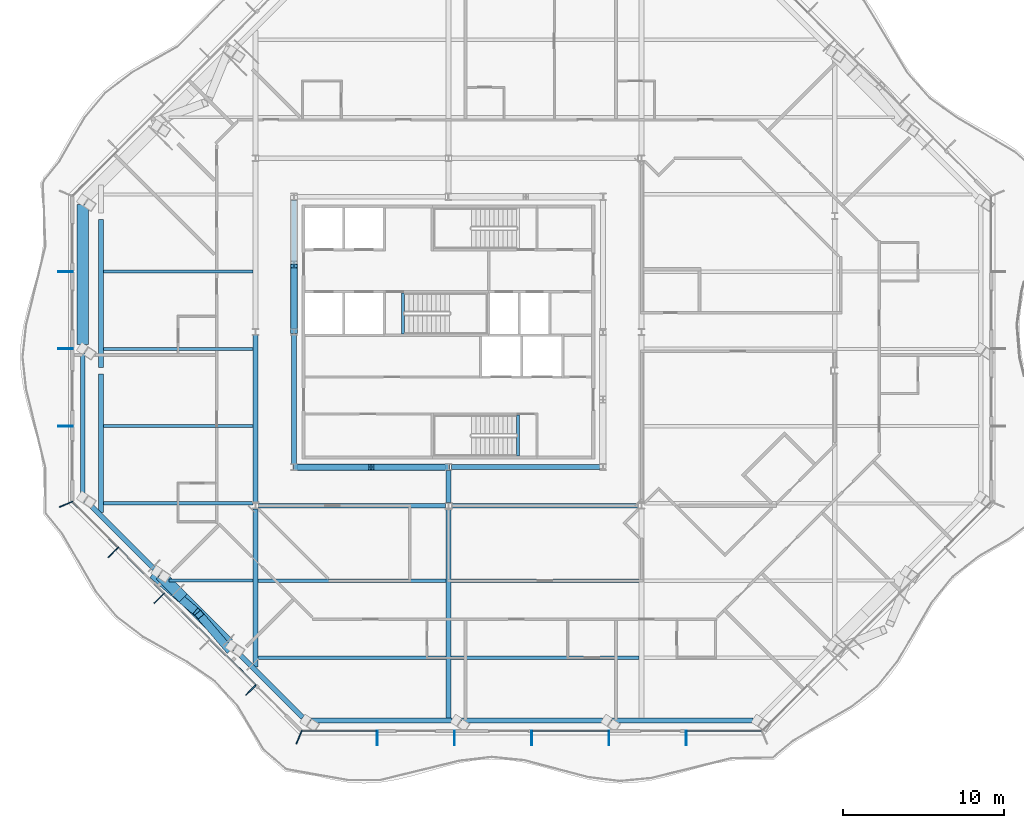
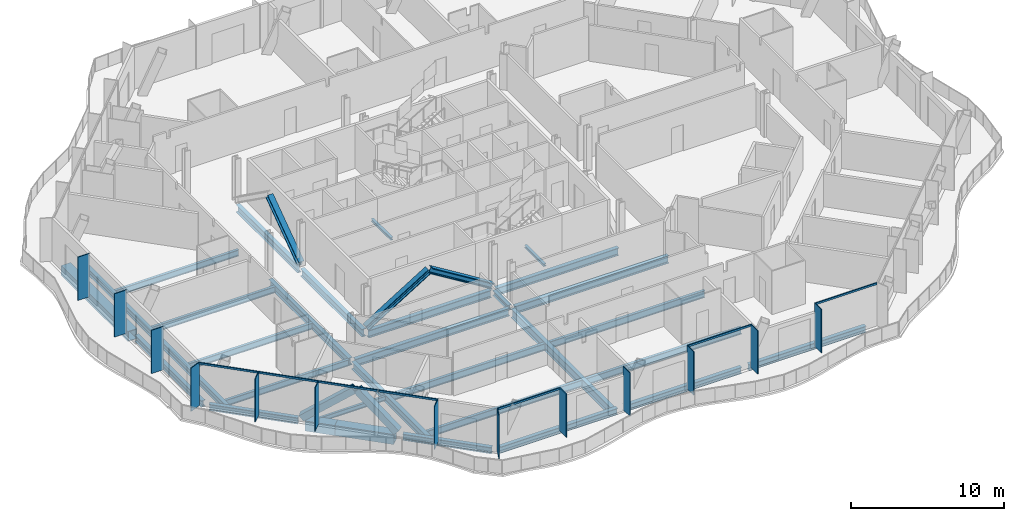
# One storey, part 3 of 19: 32 beams, 25 members, 3 elements without a shape of their own.
"""IFC4 building model written with IfcOpenShell, lengths in metres."""

from ifc_helpers import new_model, si_unit, direction, frame, origin, origin_2d, place, context, subcontext, project, spatial, rectangle, hollow_rectangle, i_section, extrude, material, material_profile, profile_set, type_object, element, aggregate, save


model = new_model("IFC4")

# Units and contexts
model_context = context("Model", 3, precision=1e-05, world=origin(), true_north=direction((0.0, 1.0)))
body_context = subcontext(model_context, "Body", "Model", "MODEL_VIEW")
ifc_project = project(units=[si_unit("LENGTHUNIT", "METRE"), si_unit("AREAUNIT", "SQUARE_METRE"), si_unit("VOLUMEUNIT", "CUBIC_METRE"), si_unit("PLANEANGLEUNIT", "RADIAN"), si_unit("MASSUNIT", "GRAM", prefix="KILO")], contexts=[model_context])

# Site, building, storey
site_placement = place(None, origin())
site = spatial("IfcSite", under=ifc_project, at=site_placement, CompositionType="ELEMENT")
building_placement = place(site_placement, origin())
building = spatial("IfcBuilding", under=site, at=building_placement, Name="Cairn Pilgrim Tower", CompositionType="ELEMENT")
storey_placement = place(building_placement, frame((0.0, 0.0, 190.199951171875)))
storey = spatial("IfcBuildingStorey", under=building, at=storey_placement, Name="L48", CompositionType="ELEMENT", Elevation=190.199951171875)

# Members
ifc_material_1 = material(Name="Structural steel S460M", Category="steel")
ifc_material_profile_1 = material_profile(ifc_material_1, hollow_rectangle(XDim=0.5, YDim=0.5, WallThickness=0.030029296875, at=origin_2d()), Name="BOX 500x500x30")
ifc_profile_set_1 = profile_set([ifc_material_profile_1], Name="Structural steel S460M")
member_type_1 = type_object("IfcMemberType", Name="BOX 500x500x30 BRACE", PredefinedType="BRACE", material=ifc_profile_set_1)
member_1_placement = place(storey_placement, frame((-11.0810546875, -12.7666015625, 0.150146484375), z_axis=(0.605199239097, -0.514036034456, 0.607865804498), x_axis=(0.647368117906, 0.762177485839, 0.0)))
element("IfcMember", 1, at=member_1_placement, inside=storey, type_object=member_type_1, Name="XB-SW2-SW3-1", PredefinedType="BRACE", context=body_context, shape_type="SweptSolid", body=[
    extrude(hollow_rectangle(XDim=0.5, YDim=0.5, WallThickness=0.030029296875, at=origin_2d()), origin(), (0.0, 0.0, 1.0), 4.394775390625),
])
member_2_placement = place(storey_placement, frame((-6.477294921875, -17.280517578125, 0.13525390625), z_axis=(-0.466441395868, 0.54687757806, 0.695239051576), x_axis=(-0.760842887943, -0.648936129266, 0.0)))
element("IfcMember", 2, at=member_2_placement, inside=storey, type_object=member_type_1, Name="XB-SW2-SW3-2", PredefinedType="BRACE", context=body_context, shape_type="SweptSolid", body=[
    extrude(hollow_rectangle(XDim=0.5, YDim=0.5, WallThickness=0.030029296875, at=origin_2d()), origin(), (0.0, 0.0, 1.0), 3.86376953125),
])

# Beams
ifc_material_2 = material(Name="Structural steel S355J2", Category="steel")
ifc_material_profile_2 = material_profile(ifc_material_2, hollow_rectangle(XDim=0.699951171875, YDim=0.800048828125, WallThickness=0.0400390625, at=origin_2d()), Name="BOX 700x800x40")
ifc_profile_set_2 = profile_set([ifc_material_profile_2], Name="Structural steel S355J2")
beam_type_1 = type_object("IfcBeamType", Name="BOX 700x800x40 RING GIRDER", PredefinedType="SPANDREL", material=ifc_profile_set_2)
beam_1_placement = place(storey_placement, frame((-15.52490234375, 10.30712890625, -0.550048828125), z_axis=(0.0, -1.0, 0.0), x_axis=(1.0, 0.0, 0.0)))
element("IfcBeam", 3, at=beam_1_placement, inside=storey, type_object=beam_type_1, Name="RG2-W1-W2", PredefinedType="SPANDREL", context=body_context, shape_type="SweptSolid", body=[
    extrude(hollow_rectangle(XDim=0.699951171875, YDim=0.800048828125, WallThickness=0.0400390625, at=origin_2d()), origin(), (0.0, 0.0, 1.0), 8.68701171875),
])
beam_2_placement = place(storey_placement, frame((-10.709716796875, -12.6923828125, -0.550048828125), z_axis=(0.707046316286, -0.707167240917, 0.0), x_axis=(0.707167240917, 0.707046316286, 0.0)))
element("IfcBeam", 4, at=beam_2_placement, inside=storey, type_object=beam_type_1, Name="RG2-SW2-SW3-1", PredefinedType="SPANDREL", context=body_context, shape_type="SweptSolid", body=[
    extrude(hollow_rectangle(XDim=0.699951171875, YDim=0.800048828125, WallThickness=0.0400390625, at=origin_2d()), origin(), (0.0, 0.0, 1.0), 2.01904296875),
])
beam_3_placement = place(storey_placement, frame((-9.2822265625, -14.1201171875, -0.550048828125), z_axis=(0.707137445632, -0.707076115411, 0.0), x_axis=(0.707076115411, 0.707137445632, 0.0)))
element("IfcBeam", 5, at=beam_3_placement, inside=storey, type_object=beam_type_1, Name="RG2-SW2-SW3-2", PredefinedType="SPANDREL", context=body_context, shape_type="SweptSolid", body=[
    extrude(hollow_rectangle(XDim=0.699951171875, YDim=0.800048828125, WallThickness=0.0400390625, at=origin_2d()), origin(), (0.0, 0.0, 1.0), 3.980712890625),
])

# Curtain wall, members
ifc_material_3 = material(Name="Aluminium alloy 6063-T6 bronze anodised with Bronze tinted laminated low-E glass 8+16+8.8", Category="aluminium")
curtain_wall_type_1 = type_object("IfcCurtainWallType", Name="TOWER STICK CURTAIN WALL NS", PredefinedType="NOTDEFINED", material=ifc_material_3)
curtain_wall_1_placement = place(storey_placement, origin())
curtain_wall_1 = element("IfcCurtainWall", 6, at=curtain_wall_1_placement, inside=storey, type_object=curtain_wall_type_1, Name="Tower Stick Curtain Wall Ns S", PredefinedType="NOTDEFINED")
ifc_material_4 = material(Name="Aluminium alloy 6063-T6 bronze anodised", Category="aluminium")
ifc_material_profile_3 = material_profile(ifc_material_4, rectangle(XDim=0.89990234375, YDim=0.06005859375, at=origin_2d()), Name="FIN MULLION 60x900 BRONZE")
ifc_profile_set_3 = profile_set([ifc_material_profile_3], Name="Aluminium alloy 6063-T6 bronze anodised")
member_type_2 = type_object("IfcMemberType", Name="FIN MULLION 60x900 BRONZE", PredefinedType="MULLION", material=ifc_profile_set_3)
member_3_placement = place(storey_placement, frame((-2.082275390625, -22.7880859375, 0.0), z_axis=(0.0, 0.0, 1.0), x_axis=(-0.382683432365, -0.923879532511, 0.0)))
member_3 = element("IfcMember", 7, at=member_3_placement, type_object=member_type_2, Name="Fin mullion S1", PredefinedType="MULLION", context=body_context, shape_type="SweptSolid", body=[
    extrude(rectangle(XDim=0.89990234375, YDim=0.06005859375, at=origin_2d()), origin(), (0.0, 0.0, 1.0), 3.449951171875),
])
member_4_placement = place(storey_placement, frame((2.77490234375, -22.820068359375, 0.0), z_axis=(0.0, 0.0, 1.0), x_axis=(0.0, -1.0, 0.0)))
member_4 = element("IfcMember", 8, at=member_4_placement, type_object=member_type_2, Name="Fin mullion S2", PredefinedType="MULLION", context=body_context, shape_type="SweptSolid", body=[
    extrude(rectangle(XDim=0.89990234375, YDim=0.06005859375, at=origin_2d()), origin(), (0.0, 0.0, 1.0), 3.449951171875),
])
member_5_placement = place(storey_placement, frame((7.574951171875, -22.820068359375, 0.0), z_axis=(0.0, 0.0, 1.0), x_axis=(0.0, -1.0, 0.0)))
member_5 = element("IfcMember", 9, at=member_5_placement, type_object=member_type_2, Name="Fin mullion S3", PredefinedType="MULLION", context=body_context, shape_type="SweptSolid", body=[
    extrude(rectangle(XDim=0.89990234375, YDim=0.06005859375, at=origin_2d()), origin(), (0.0, 0.0, 1.0), 3.449951171875),
])
member_6_placement = place(storey_placement, frame((12.375, -22.820068359375, 0.0), z_axis=(0.0, 0.0, 1.0), x_axis=(0.0, -1.0, 0.0)))
member_6 = element("IfcMember", 10, at=member_6_placement, type_object=member_type_2, Name="Fin mullion S4", PredefinedType="MULLION", context=body_context, shape_type="SweptSolid", body=[
    extrude(rectangle(XDim=0.89990234375, YDim=0.06005859375, at=origin_2d()), origin(), (0.0, 0.0, 1.0), 3.449951171875),
])
member_7_placement = place(storey_placement, frame((17.175048828125, -22.820068359375, 0.0), z_axis=(0.0, 0.0, 1.0), x_axis=(0.0, -1.0, 0.0)))
member_7 = element("IfcMember", 11, at=member_7_placement, type_object=member_type_2, Name="Fin mullion S5", PredefinedType="MULLION", context=body_context, shape_type="SweptSolid", body=[
    extrude(rectangle(XDim=0.89990234375, YDim=0.06005859375, at=origin_2d()), origin(), (0.0, 0.0, 1.0), 3.449951171875),
])
member_8_placement = place(storey_placement, frame((21.97509765625, -22.820068359375, 0.0), z_axis=(0.0, 0.0, 1.0), x_axis=(0.0, -1.0, 0.0)))
member_8 = element("IfcMember", 12, at=member_8_placement, type_object=member_type_2, Name="Fin mullion S6", PredefinedType="MULLION", context=body_context, shape_type="SweptSolid", body=[
    extrude(rectangle(XDim=0.89990234375, YDim=0.06005859375, at=origin_2d()), origin(), (0.0, 0.0, 1.0), 3.449951171875),
])

curtain_wall_type_2 = type_object("IfcCurtainWallType", Name="TOWER STICK CURTAIN WALL EW", PredefinedType="NOTDEFINED", material=ifc_material_3)
curtain_wall_2_placement = place(storey_placement, origin())
curtain_wall_2 = element("IfcCurtainWall", 13, at=curtain_wall_2_placement, inside=storey, type_object=curtain_wall_type_2, Name="Tower Stick Curtain Wall Ew W", PredefinedType="NOTDEFINED")
member_9_placement = place(storey_placement, frame((-16.594970703125, 6.14990234375, 0.0), z_axis=(0.0, 0.0, 1.0), x_axis=(-1.0, 0.0, 0.0)))
member_9 = element("IfcMember", 14, at=member_9_placement, type_object=member_type_2, Name="Fin mullion W2", PredefinedType="MULLION", context=body_context, shape_type="SweptSolid", body=[
    extrude(rectangle(XDim=0.89990234375, YDim=0.06005859375, at=origin_2d()), origin(), (0.0, 0.0, 1.0), 3.449951171875),
])
member_10_placement = place(storey_placement, frame((-16.594970703125, 1.35009765625, 0.0), z_axis=(0.0, 0.0, 1.0), x_axis=(-1.0, 0.0, 0.0)))
member_10 = element("IfcMember", 15, at=member_10_placement, type_object=member_type_2, Name="Fin mullion W3", PredefinedType="MULLION", context=body_context, shape_type="SweptSolid", body=[
    extrude(rectangle(XDim=0.89990234375, YDim=0.06005859375, at=origin_2d()), origin(), (0.0, 0.0, 1.0), 3.449951171875),
])
member_11_placement = place(storey_placement, frame((-16.594970703125, -3.449951171875, 0.0), z_axis=(0.0, 0.0, 1.0), x_axis=(-1.0, 0.0, 0.0)))
member_11 = element("IfcMember", 16, at=member_11_placement, type_object=member_type_2, Name="Fin mullion W4", PredefinedType="MULLION", context=body_context, shape_type="SweptSolid", body=[
    extrude(rectangle(XDim=0.89990234375, YDim=0.06005859375, at=origin_2d()), origin(), (0.0, 0.0, 1.0), 3.449951171875),
])
aggregate(curtain_wall_2, [member_9, member_10, member_11])

curtain_wall_type_3 = type_object("IfcCurtainWallType", Name="CHAMFER CORNER CURTAIN WALL", PredefinedType="NOTDEFINED", material=ifc_material_3)
curtain_wall_3_placement = place(storey_placement, origin())
curtain_wall_3 = element("IfcCurtainWall", 17, at=curtain_wall_3_placement, inside=storey, type_object=curtain_wall_type_3, Name="Chamfer Corner Curtain Wall SW", PredefinedType="NOTDEFINED")
member_12_placement = place(storey_placement, frame((-16.56298828125, -8.30712890625, 0.0), z_axis=(0.0, 0.0, 1.0), x_axis=(-0.923879532511, -0.382683432365, 0.0)))
member_12 = element("IfcMember", 18, at=member_12_placement, type_object=member_type_2, Name="Fin mullion SW1", PredefinedType="MULLION", context=body_context, shape_type="SweptSolid", body=[
    extrude(rectangle(XDim=0.89990234375, YDim=0.06005859375, at=origin_2d()), origin(), (0.0, 0.0, 1.0), 3.449951171875),
])
member_13_placement = place(storey_placement, frame((-13.621337890625, -11.294189453125, 0.0), z_axis=(0.0, 0.0, 1.0), x_axis=(-0.707106781187, -0.707106781187, 0.0)))
member_13 = element("IfcMember", 19, at=member_13_placement, type_object=member_type_2, Name="Fin mullion SW2", PredefinedType="MULLION", context=body_context, shape_type="SweptSolid", body=[
    extrude(rectangle(XDim=0.89990234375, YDim=0.06005859375, at=origin_2d()), origin(), (0.0, 0.0, 1.0), 3.449951171875),
])
member_14_placement = place(storey_placement, frame((-10.7705078125, -14.144775390625, 0.0), z_axis=(0.0, 0.0, 1.0), x_axis=(-0.707106781187, -0.707106781187, 0.0)))
member_14 = element("IfcMember", 20, at=member_14_placement, type_object=member_type_2, Name="Fin mullion SW3", PredefinedType="MULLION", context=body_context, shape_type="SweptSolid", body=[
    extrude(rectangle(XDim=0.89990234375, YDim=0.06005859375, at=origin_2d()), origin(), (0.0, 0.0, 1.0), 3.449951171875),
])
member_15_placement = place(storey_placement, frame((-5.069091796875, -19.84619140625, 0.0), z_axis=(0.0, 0.0, 1.0), x_axis=(-0.707106781187, -0.707106781187, 0.0)))
member_15 = element("IfcMember", 21, at=member_15_placement, type_object=member_type_2, Name="Fin mullion SW5", PredefinedType="MULLION", context=body_context, shape_type="SweptSolid", body=[
    extrude(rectangle(XDim=0.89990234375, YDim=0.06005859375, at=origin_2d()), origin(), (0.0, 0.0, 1.0), 3.449951171875),
])

# Members
ifc_material_profile_4 = material_profile(ifc_material_1, i_section(OverallWidth=0.408935546875, OverallDepth=0.425048828125, WebThickness=0.03271484375, FlangeThickness=0.052490234375, FilletRadius=0.014892578125, at=origin_2d()), Name="HD 400x421")
ifc_profile_set_4 = profile_set([ifc_material_profile_4], Name="Structural steel S460M")
member_type_3 = type_object("IfcMemberType", Name="HD 400x421 BRACE", PredefinedType="BRACE", material=ifc_profile_set_4)
member_16_placement = place(storey_placement, frame((-2.3583984375, -6.0, 0.10009765625), z_axis=(0.851119565216, 0.0, 0.524971890397), x_axis=(0.0, 1.0, 0.0)))
element("IfcMember", 22, at=member_16_placement, inside=storey, type_object=member_type_3, Name="KB-1A", PredefinedType="BRACE", context=body_context, shape_type="SweptSolid", body=[
    extrude(i_section(OverallWidth=0.408935546875, OverallDepth=0.425048828125, WebThickness=0.03271484375, FlangeThickness=0.052490234375, FilletRadius=0.014892578125, at=origin_2d()), origin(), (0.0, 0.0, 1.0), 5.528076171875),
])
member_17_placement = place(storey_placement, frame((7.158447265625, -6.0, 0.10009765625), z_axis=(-0.851131735799, 0.0, 0.52495215812), x_axis=(0.0, -1.0, 0.0)))
element("IfcMember", 23, at=member_17_placement, inside=storey, type_object=member_type_3, Name="KB-1B", PredefinedType="BRACE", context=body_context, shape_type="SweptSolid", body=[
    extrude(i_section(OverallWidth=0.408935546875, OverallDepth=0.425048828125, WebThickness=0.03271484375, FlangeThickness=0.052490234375, FilletRadius=0.014892578125, at=origin_2d()), origin(), (0.0, 0.0, 1.0), 5.5283203125),
])
member_18_placement = place(storey_placement, frame((-2.39990234375, 2.441650390625, 0.10009765625), z_axis=(0.0, 0.81433042856, 0.580401544727), x_axis=(-1.0, 0.0, 0.0)))
element("IfcMember", 24, at=member_18_placement, inside=storey, type_object=member_type_3, Name="KB-4B", PredefinedType="BRACE", context=body_context, shape_type="SweptSolid", body=[
    extrude(i_section(OverallWidth=0.408935546875, OverallDepth=0.425048828125, WebThickness=0.03271484375, FlangeThickness=0.052490234375, FilletRadius=0.014892578125, at=origin_2d()), origin(), (0.0, 0.0, 1.0), 4.998046875),
])

# Beams
ifc_material_profile_5 = material_profile(ifc_material_2, i_section(OverallWidth=0.300048828125, OverallDepth=0.39990234375, WebThickness=0.013427734375, FlangeThickness=0.02392578125, FilletRadius=0.027099609375, at=origin_2d()), Name="HEB 400")
ifc_profile_set_5 = profile_set([ifc_material_profile_5], Name="Structural steel S355J2")
beam_type_2 = type_object("IfcBeamType", Name="HEB 400 GIRDER", PredefinedType="BEAM", material=ifc_profile_set_5)
beam_4_placement = place(storey_placement, frame((7.199951171875, -8.200439453125, -0.349853515625), z_axis=(0.0, 1.0, 0.0), x_axis=(-1.0, 0.0, 0.0)))
element("IfcBeam", 25, at=beam_4_placement, inside=storey, type_object=beam_type_2, Name="PG3-E1", PredefinedType="BEAM", context=body_context, shape_type="SweptSolid", body=[
    extrude(i_section(OverallWidth=0.300048828125, OverallDepth=0.39990234375, WebThickness=0.013427734375, FlangeThickness=0.02392578125, FilletRadius=0.027099609375, at=origin_2d()), origin(), (0.0, 0.0, 1.0), 1.992431640625),
])
ifc_material_profile_6 = material_profile(ifc_material_2, i_section(OverallWidth=0.300048828125, OverallDepth=0.5, WebThickness=0.014404296875, FlangeThickness=0.028076171875, FilletRadius=0.027099609375, at=origin_2d()), Name="HEB 500")
ifc_profile_set_6 = profile_set([ifc_material_profile_6], Name="Structural steel S355J2")
beam_type_3 = type_object("IfcBeamType", Name="HEB 500 GIRDER", PredefinedType="BEAM", material=ifc_profile_set_6)
beam_5_placement = place(storey_placement, frame((-14.39990234375, -8.820068359375, -0.39990234375), z_axis=(0.0, 1.0, 0.0), x_axis=(-1.0, 0.0, 0.0)))
element("IfcBeam", 26, at=beam_5_placement, inside=storey, type_object=beam_type_3, Name="PG1-1", PredefinedType="BEAM", context=body_context, shape_type="SweptSolid", body=[
    extrude(i_section(OverallWidth=0.300048828125, OverallDepth=0.5, WebThickness=0.014404296875, FlangeThickness=0.028076171875, FilletRadius=0.027099609375, at=origin_2d()), origin(), (0.0, 0.0, 1.0), 8.62060546875),
])
beam_6_placement = place(storey_placement, frame((-14.39990234375, 0.199462890625, -0.39990234375), z_axis=(0.0, 1.0, 0.0), x_axis=(-1.0, 0.0, 0.0)))
element("IfcBeam", 27, at=beam_6_placement, inside=storey, type_object=beam_type_3, Name="PG1-2", PredefinedType="BEAM", context=body_context, shape_type="SweptSolid", body=[
    extrude(i_section(OverallWidth=0.300048828125, OverallDepth=0.5, WebThickness=0.014404296875, FlangeThickness=0.028076171875, FilletRadius=0.027099609375, at=origin_2d()), origin(), (0.0, 0.0, 1.0), 9.200927734375),
])
ifc_material_profile_7 = material_profile(ifc_material_2, i_section(OverallWidth=0.300048828125, OverallDepth=0.5, WebThickness=0.014404296875, FlangeThickness=0.028076171875, FilletRadius=0.027099609375, at=origin_2d()), Name="HEB 500")
ifc_profile_set_7 = profile_set([ifc_material_profile_7], Name="Structural steel S355J2")
beam_type_4 = type_object("IfcBeamType", Name="HEB 500 RING GIRDER", PredefinedType="SPANDREL", material=ifc_profile_set_7)
beam_7_placement = place(storey_placement, frame((-1.382080078125, -21.75, -0.39990234375), z_axis=(1.0, 0.0, 0.0), x_axis=(0.0, 1.0, 0.0)))
element("IfcBeam", 28, at=beam_7_placement, inside=storey, type_object=beam_type_4, Name="RG2-S1-S2", PredefinedType="SPANDREL", context=body_context, shape_type="SweptSolid", body=[
    extrude(i_section(OverallWidth=0.300048828125, OverallDepth=0.5, WebThickness=0.014404296875, FlangeThickness=0.028076171875, FilletRadius=0.027099609375, at=origin_2d()), origin(), (0.0, 0.0, 1.0), 8.811279296875),
])
beam_8_placement = place(storey_placement, frame((7.96923828125, -21.75, -0.39990234375), z_axis=(1.0, 0.0, 0.0), x_axis=(0.0, 1.0, 0.0)))
element("IfcBeam", 29, at=beam_8_placement, inside=storey, type_object=beam_type_4, Name="RG2-S2-S3", PredefinedType="SPANDREL", context=body_context, shape_type="SweptSolid", body=[
    extrude(i_section(OverallWidth=0.300048828125, OverallDepth=0.5, WebThickness=0.014404296875, FlangeThickness=0.028076171875, FilletRadius=0.027099609375, at=origin_2d()), origin(), (0.0, 0.0, 1.0), 8.8115234375),
])
beam_9_placement = place(storey_placement, frame((17.32080078125, -21.75, -0.39990234375), z_axis=(1.0, 0.0, 0.0), x_axis=(0.0, 1.0, 0.0)))
element("IfcBeam", 30, at=beam_9_placement, inside=storey, type_object=beam_type_4, Name="RG2-S3-SE1", PredefinedType="SPANDREL", context=body_context, shape_type="SweptSolid", body=[
    extrude(i_section(OverallWidth=0.300048828125, OverallDepth=0.5, WebThickness=0.014404296875, FlangeThickness=0.028076171875, FilletRadius=0.027099609375, at=origin_2d()), origin(), (0.0, 0.0, 1.0), 8.811279296875),
])
beam_10_placement = place(storey_placement, frame((-15.52490234375, 1.080078125, -0.39990234375), z_axis=(0.0, -1.0, 0.0), x_axis=(1.0, 0.0, 0.0)))
element("IfcBeam", 31, at=beam_10_placement, inside=storey, type_object=beam_type_4, Name="RG2-W2-SW1", PredefinedType="SPANDREL", context=body_context, shape_type="SweptSolid", body=[
    extrude(i_section(OverallWidth=0.300048828125, OverallDepth=0.5, WebThickness=0.014404296875, FlangeThickness=0.028076171875, FilletRadius=0.027099609375, at=origin_2d()), origin(), (0.0, 0.0, 1.0), 8.687255859375),
])
beam_11_placement = place(storey_placement, frame((-15.333984375, -8.068115234375, -0.39990234375), z_axis=(0.707086434254, -0.707127127534, 0.0), x_axis=(0.707127127534, 0.707086434254, 0.0)))
element("IfcBeam", 32, at=beam_11_placement, inside=storey, type_object=beam_type_4, Name="RG2-SW1-SW2", PredefinedType="SPANDREL", context=body_context, shape_type="SweptSolid", body=[
    extrude(i_section(OverallWidth=0.300048828125, OverallDepth=0.5, WebThickness=0.014404296875, FlangeThickness=0.028076171875, FilletRadius=0.027099609375, at=origin_2d()), origin(), (0.0, 0.0, 1.0), 5.99951171875),
])
beam_12_placement = place(storey_placement, frame((-6.085693359375, -17.316650390625, -0.39990234375), z_axis=(0.707127126363, -0.707086435425, 0.0), x_axis=(0.707086435425, 0.707127126363, 0.0)))
element("IfcBeam", 33, at=beam_12_placement, inside=storey, type_object=beam_type_4, Name="RG2-SW3-S1", PredefinedType="SPANDREL", context=body_context, shape_type="SweptSolid", body=[
    extrude(i_section(OverallWidth=0.300048828125, OverallDepth=0.5, WebThickness=0.014404296875, FlangeThickness=0.028076171875, FilletRadius=0.027099609375, at=origin_2d()), origin(), (0.0, 0.0, 1.0), 5.999755859375),
])
ifc_material_profile_8 = material_profile(ifc_material_2, i_section(OverallWidth=0.300048828125, OverallDepth=0.60009765625, WebThickness=0.015380859375, FlangeThickness=0.030029296875, FilletRadius=0.027099609375, at=origin_2d()), Name="HEB 600")
ifc_profile_set_8 = profile_set([ifc_material_profile_8], Name="Structural steel S355J2")
beam_type_5 = type_object("IfcBeamType", Name="HEB 600 CORE BEAM", PredefinedType="BEAM", material=ifc_profile_set_8)
for number, where, z_axis, x_axis, name in (
    (34, (-2.212890625, -6.0, -0.449951171875), (1.0, 0.0, 0.0), (0.0, 1.0, 0.0), "CB-1"),
    (35, (7.38720703125, -6.0, -0.449951171875), (1.0, 0.0, 0.0), (0.0, 1.0, 0.0), "CB-2"),
):
    element("IfcBeam", number, at=place(storey_placement, frame(where, z_axis=z_axis, x_axis=x_axis)), inside=storey, type_object=beam_type_5, Name=name, PredefinedType="BEAM", context=body_context, shape_type="SweptSolid", body=[
        extrude(i_section(OverallWidth=0.300048828125, OverallDepth=0.60009765625, WebThickness=0.015380859375, FlangeThickness=0.030029296875, FilletRadius=0.027099609375, at=origin_2d()), origin(), (0.0, 0.0, 1.0), 9.2255859375),
    ])
for number, where, z_axis, x_axis, name in (
    (36, (-2.39990234375, 10.61279296875, -0.449951171875), (0.0, -1.0, 0.0), (1.0, 0.0, 0.0), "CB-7"),
    (37, (-2.39990234375, 2.212890625, -0.449951171875), (0.0, -1.0, 0.0), (1.0, 0.0, 0.0), "CB-8"),
):
    element("IfcBeam", number, at=place(storey_placement, frame(where, z_axis=z_axis, x_axis=x_axis)), inside=storey, type_object=beam_type_5, Name=name, PredefinedType="BEAM", context=body_context, shape_type="SweptSolid", body=[
        extrude(i_section(OverallWidth=0.300048828125, OverallDepth=0.60009765625, WebThickness=0.015380859375, FlangeThickness=0.030029296875, FilletRadius=0.027099609375, at=origin_2d()), origin(), (0.0, 0.0, 1.0), 8.025634765625),
    ])
ifc_material_profile_9 = material_profile(ifc_material_2, i_section(OverallWidth=0.300048828125, OverallDepth=0.60009765625, WebThickness=0.015380859375, FlangeThickness=0.030029296875, FilletRadius=0.027099609375, at=origin_2d()), Name="HEB 600")
ifc_profile_set_9 = profile_set([ifc_material_profile_9], Name="Structural steel S355J2")
beam_type_6 = type_object("IfcBeamType", Name="HEB 600 GIRDER", PredefinedType="BEAM", material=ifc_profile_set_9)
beam_13_placement = place(storey_placement, frame((-4.800048828125, -18.420166015625, -0.449951171875), z_axis=(0.0, 1.0, 0.0), x_axis=(-1.0, 0.0, 0.0)))
element("IfcBeam", 38, at=beam_13_placement, inside=storey, type_object=beam_type_6, Name="PG2-1", PredefinedType="BEAM", context=body_context, shape_type="SweptSolid", body=[
    extrude(i_section(OverallWidth=0.300048828125, OverallDepth=0.60009765625, WebThickness=0.015380859375, FlangeThickness=0.030029296875, FilletRadius=0.027099609375, at=origin_2d()), origin(), (0.0, 0.0, 1.0), 9.820556640625),
])
beam_14_placement = place(storey_placement, frame((-4.800048828125, -8.200439453125, -0.449951171875), z_axis=(0.0, 1.0, 0.0), x_axis=(-1.0, 0.0, 0.0)))
element("IfcBeam", 39, at=beam_14_placement, inside=storey, type_object=beam_type_6, Name="PG2-2", PredefinedType="BEAM", context=body_context, shape_type="SweptSolid", body=[
    extrude(i_section(OverallWidth=0.300048828125, OverallDepth=0.60009765625, WebThickness=0.015380859375, FlangeThickness=0.030029296875, FilletRadius=0.027099609375, at=origin_2d()), origin(), (0.0, 0.0, 1.0), 10.40087890625),
])
ifc_material_profile_10 = material_profile(ifc_material_2, i_section(OverallWidth=0.300048828125, OverallDepth=0.60009765625, WebThickness=0.015380859375, FlangeThickness=0.030029296875, FilletRadius=0.027099609375, at=origin_2d()), Name="HEB 600")
ifc_profile_set_10 = profile_set([ifc_material_profile_10], Name="Structural steel S355J2")
beam_type_7 = type_object("IfcBeamType", Name="HEB 600 INNER GIRDER", PredefinedType="BEAM", material=ifc_profile_set_10)
for number, where, z_axis, x_axis, name in (
    (40, (-4.6005859375, -8.39990234375, -0.449951171875), (1.0, 0.0, 0.0), (0.0, 1.0, 0.0), "IG1-1"),
    (41, (7.3994140625, -8.39990234375, -0.449951171875), (1.0, 0.0, 0.0), (0.0, 1.0, 0.0), "IG1-2"),
):
    element("IfcBeam", number, at=place(storey_placement, frame(where, z_axis=z_axis, x_axis=x_axis)), inside=storey, type_object=beam_type_7, Name=name, PredefinedType="BEAM", context=body_context, shape_type="SweptSolid", body=[
        extrude(i_section(OverallWidth=0.300048828125, OverallDepth=0.60009765625, WebThickness=0.015380859375, FlangeThickness=0.030029296875, FilletRadius=0.027099609375, at=origin_2d()), origin(), (0.0, 0.0, 1.0), 11.60107421875),
    ])
ifc_material_profile_11 = material_profile(ifc_material_2, i_section(OverallWidth=0.300048828125, OverallDepth=0.699951171875, WebThickness=0.01708984375, FlangeThickness=0.031982421875, FilletRadius=0.027099609375, at=origin_2d()), Name="HEB 700")
ifc_profile_set_11 = profile_set([ifc_material_profile_11], Name="Structural steel S355J2")
beam_type_8 = type_object("IfcBeamType", Name="HEB 700 GIRDER", PredefinedType="BEAM", material=ifc_profile_set_11)
beam_15_placement = place(storey_placement, frame((7.199951171875, -21.6298828125, -0.5), z_axis=(0.0, 1.0, 0.0), x_axis=(-1.0, 0.0, 0.0)))
element("IfcBeam", 42, at=beam_15_placement, inside=storey, type_object=beam_type_8, Name="PG3-1", PredefinedType="BEAM", context=body_context, shape_type="SweptSolid", body=[
    extrude(i_section(OverallWidth=0.300048828125, OverallDepth=0.699951171875, WebThickness=0.01708984375, FlangeThickness=0.031982421875, FilletRadius=0.027099609375, at=origin_2d()), origin(), (0.0, 0.0, 1.0), 13.0302734375),
])
ifc_material_profile_12 = material_profile(ifc_material_2, i_section(OverallWidth=0.169921875, OverallDepth=0.360107421875, WebThickness=0.008056640625, FlangeThickness=0.0126953125, FilletRadius=0.01806640625, at=origin_2d()), Name="IPE 360")
ifc_profile_set_12 = profile_set([ifc_material_profile_12], Name="Structural steel S355J2")
beam_type_9 = type_object("IfcBeamType", Name="IPE 360 SECONDARY BEAM", PredefinedType="JOIST", material=ifc_profile_set_12)
beam_16_placement = place(storey_placement, frame((-10.170166015625, -13.050048828125, -0.329833984375), z_axis=(1.0, 0.0, 0.0), x_axis=(0.0, 1.0, 0.0)))
element("IfcBeam", 43, at=beam_16_placement, inside=storey, type_object=beam_type_9, Name="SB2-1", PredefinedType="JOIST", context=body_context, shape_type="SweptSolid", body=[
    extrude(i_section(OverallWidth=0.169921875, OverallDepth=0.360107421875, WebThickness=0.008056640625, FlangeThickness=0.0126953125, FilletRadius=0.01806640625, at=origin_2d()), origin(), (0.0, 0.0, 1.0), 5.22021484375),
])
ifc_material_profile_13 = material_profile(ifc_material_2, i_section(OverallWidth=0.199951171875, OverallDepth=0.5, WebThickness=0.01025390625, FlangeThickness=0.01611328125, FilletRadius=0.02099609375, at=origin_2d()), Name="IPE 500")
ifc_profile_set_13 = profile_set([ifc_material_profile_13], Name="Structural steel S355J2")
beam_type_10 = type_object("IfcBeamType", Name="IPE 500 SECONDARY BEAM", PredefinedType="JOIST", material=ifc_profile_set_13)
for number, where, z_axis, x_axis, name in (
    (44, (-14.25, -8.25, -0.39990234375), (1.0, 0.0, 0.0), (0.0, 1.0, 0.0), "SB3-1"),
    (45, (-14.25, -3.449951171875, -0.39990234375), (1.0, 0.0, 0.0), (0.0, 1.0, 0.0), "SB4-1"),
    (46, (-14.25, 1.35009765625, -0.39990234375), (1.0, 0.0, 0.0), (0.0, 1.0, 0.0), "SB5-1"),
    (47, (-14.25, 6.14990234375, -0.39990234375), (1.0, 0.0, 0.0), (0.0, 1.0, 0.0), "SB6-1"),
):
    element("IfcBeam", number, at=place(storey_placement, frame(where, z_axis=z_axis, x_axis=x_axis)), inside=storey, type_object=beam_type_10, Name=name, PredefinedType="JOIST", context=body_context, shape_type="SweptSolid", body=[
        extrude(i_section(OverallWidth=0.199951171875, OverallDepth=0.5, WebThickness=0.01025390625, FlangeThickness=0.01611328125, FilletRadius=0.02099609375, at=origin_2d()), origin(), (0.0, 0.0, 1.0), 9.300048828125),
    ])
ifc_material_profile_14 = material_profile(ifc_material_2, i_section(OverallWidth=0.2099609375, OverallDepth=0.550048828125, WebThickness=0.010986328125, FlangeThickness=0.01708984375, FilletRadius=0.02392578125, at=origin_2d()), Name="IPE 550")
ifc_profile_set_14 = profile_set([ifc_material_profile_14], Name="Structural steel S355J2")
beam_type_11 = type_object("IfcBeamType", Name="IPE 550 SECONDARY BEAM", PredefinedType="JOIST", material=ifc_profile_set_14)
for number, where, z_axis, x_axis, name in (
    (48, (-4.64990234375, -17.85009765625, -0.425048828125), (1.0, 0.0, 0.0), (0.0, 1.0, 0.0), "SB1-1"),
    (49, (7.35009765625, -17.85009765625, -0.425048828125), (1.0, 0.0, 0.0), (0.0, 1.0, 0.0), "SB1-2"),
    (50, (-4.64990234375, -13.050048828125, -0.425048828125), (1.0, 0.0, 0.0), (0.0, 1.0, 0.0), "SB2-2"),
    (51, (7.35009765625, -13.050048828125, -0.425048828125), (1.0, 0.0, 0.0), (0.0, 1.0, 0.0), "SB2-3"),
):
    element("IfcBeam", number, at=place(storey_placement, frame(where, z_axis=z_axis, x_axis=x_axis)), inside=storey, type_object=beam_type_11, Name=name, PredefinedType="JOIST", context=body_context, shape_type="SweptSolid", body=[
        extrude(i_section(OverallWidth=0.2099609375, OverallDepth=0.550048828125, WebThickness=0.010986328125, FlangeThickness=0.01708984375, FilletRadius=0.02392578125, at=origin_2d()), origin(), (0.0, 0.0, 1.0), 11.699951171875),
    ])
ifc_material_profile_15 = material_profile(ifc_material_2, i_section(OverallWidth=0.199951171875, OverallDepth=0.199951171875, WebThickness=0.009033203125, FlangeThickness=0.014892578125, FilletRadius=0.01806640625, at=origin_2d()), Name="HE 200 B")
ifc_profile_set_15 = profile_set([ifc_material_profile_15], Name="Structural steel S355J2")
beam_type_12 = type_object("IfcBeamType", Name="STAIR LANDING BEAM HE 200 B", PredefinedType="BEAM", material=ifc_profile_set_15)
beam_17_placement = place(storey_placement, frame((11.5244140625, -2.77490234375, -0.25), z_axis=(0.0, -1.0, 0.0), x_axis=(1.0, 0.0, 0.0)))
element("IfcBeam", 52, at=beam_17_placement, inside=storey, type_object=beam_type_12, Name="STAIR LANDING BEAM LD-HE200B", PredefinedType="BEAM", context=body_context, shape_type="SweptSolid", body=[
    extrude(i_section(OverallWidth=0.199951171875, OverallDepth=0.199951171875, WebThickness=0.009033203125, FlangeThickness=0.014892578125, FilletRadius=0.01806640625, at=origin_2d()), origin(), (0.0, 0.0, 1.0), 2.525146484375),
])
beam_18_placement = place(storey_placement, frame((4.37548828125, 2.27490234375, -0.25), z_axis=(0.0, 1.0, 0.0), x_axis=(-1.0, 0.0, 0.0)))
element("IfcBeam", 53, at=beam_18_placement, inside=storey, type_object=beam_type_12, Name="STAIR LANDING BEAM LD-HE200B", PredefinedType="BEAM", context=body_context, shape_type="SweptSolid", body=[
    extrude(i_section(OverallWidth=0.199951171875, OverallDepth=0.199951171875, WebThickness=0.009033203125, FlangeThickness=0.014892578125, FilletRadius=0.01806640625, at=origin_2d()), origin(), (0.0, 0.0, 1.0), 2.550048828125),
])

# Member
ifc_material_profile_16 = material_profile(ifc_material_4, rectangle(XDim=0.080078125, YDim=0.14990234375, at=origin_2d()), Name="TRANSOM 80x150 BRONZE")
ifc_profile_set_16 = profile_set([ifc_material_profile_16], Name="Aluminium alloy 6063-T6 bronze anodised")
member_type_4 = type_object("IfcMemberType", Name="TRANSOM 80x150 BRONZE", PredefinedType="USERDEFINED", material=ifc_profile_set_16)
member_19_placement = place(storey_placement, frame((-1.88134765625, -22.39990234375, 3.375), z_axis=(1.0, 0.0, 0.0), x_axis=(0.0, 1.0, 0.0)))
member_19 = element("IfcMember", 54, at=member_19_placement, type_object=member_type_4, Name="Transom S1", ObjectType="TRANSOM", PredefinedType="USERDEFINED", context=body_context, shape_type="SweptSolid", body=[
    extrude(rectangle(XDim=0.080078125, YDim=0.14990234375, at=origin_2d()), origin(), (0.0, 0.0, 1.0), 4.62646484375),
])

member_20_placement = place(storey_placement, frame((12.405029296875, -22.39990234375, 3.375), z_axis=(1.0, 0.0, 0.0), x_axis=(0.0, 1.0, 0.0)))
member_20 = element("IfcMember", 55, at=member_20_placement, type_object=member_type_4, Name="Transom S4", ObjectType="TRANSOM", PredefinedType="USERDEFINED", context=body_context, shape_type="SweptSolid", body=[
    extrude(rectangle(XDim=0.080078125, YDim=0.14990234375, at=origin_2d()), origin(), (0.0, 0.0, 1.0), 4.739990234375),
])

member_21_placement = place(storey_placement, frame((22.0048828125, -22.39990234375, 3.375), z_axis=(1.0, 0.0, 0.0), x_axis=(0.0, 1.0, 0.0)))
member_21 = element("IfcMember", 56, at=member_21_placement, type_object=member_type_4, Name="Transom S6", ObjectType="TRANSOM", PredefinedType="USERDEFINED", context=body_context, shape_type="SweptSolid", body=[
    extrude(rectangle(XDim=0.080078125, YDim=0.14990234375, at=origin_2d()), origin(), (0.0, 0.0, 1.0), 4.62646484375),
])

aggregate(curtain_wall_1, [member_3, member_4, member_5, member_6, member_7, member_8, member_19, member_20, member_21])

member_22_placement = place(storey_placement, frame((-16.146728515625, -8.1748046875, 3.375), z_axis=(0.707137595296, -0.707075965734, 0.0), x_axis=(0.707075965734, 0.707137595296, 0.0)))
member_22 = element("IfcMember", 57, at=member_22_placement, type_object=member_type_4, Name="Transom SW1", ObjectType="TRANSOM", PredefinedType="USERDEFINED", context=body_context, shape_type="SweptSolid", body=[
    extrude(rectangle(XDim=0.080078125, YDim=0.14990234375, at=origin_2d()), origin(), (0.0, 0.0, 1.0), 3.96142578125),
])

member_23_placement = place(storey_placement, frame((-13.302978515625, -11.018310546875, 3.375), z_axis=(0.707076043427, -0.70713751761, 0.0), x_axis=(0.70713751761, 0.707076043427, 0.0)))
member_23 = element("IfcMember", 58, at=member_23_placement, type_object=member_type_4, Name="Transom SW2", ObjectType="TRANSOM", PredefinedType="USERDEFINED", context=body_context, shape_type="SweptSolid", body=[
    extrude(rectangle(XDim=0.080078125, YDim=0.14990234375, at=origin_2d()), origin(), (0.0, 0.0, 1.0), 3.971435546875),
])

member_24_placement = place(storey_placement, frame((-10.452392578125, -13.869140625, 3.375), z_axis=(0.70713751761, -0.707076043427, 0.0), x_axis=(0.707076043427, 0.70713751761, 0.0)))
member_24 = element("IfcMember", 59, at=member_24_placement, type_object=member_type_4, Name="Transom SW3", ObjectType="TRANSOM", PredefinedType="USERDEFINED", context=body_context, shape_type="SweptSolid", body=[
    extrude(rectangle(XDim=0.080078125, YDim=0.14990234375, at=origin_2d()), origin(), (0.0, 0.0, 1.0), 3.971435546875),
])

member_25_placement = place(storey_placement, frame((-7.6015625, -16.7197265625, 3.375), z_axis=(0.707076043427, -0.70713751761, 0.0), x_axis=(0.70713751761, 0.707076043427, 0.0)))
member_25 = element("IfcMember", 60, at=member_25_placement, type_object=member_type_4, Name="Transom SW4", ObjectType="TRANSOM", PredefinedType="USERDEFINED", context=body_context, shape_type="SweptSolid", body=[
    extrude(rectangle(XDim=0.080078125, YDim=0.14990234375, at=origin_2d()), origin(), (0.0, 0.0, 1.0), 3.971435546875),
])

aggregate(curtain_wall_3, [member_12, member_13, member_14, member_15, member_22, member_23, member_24, member_25])

save(model, "model.ifc")
